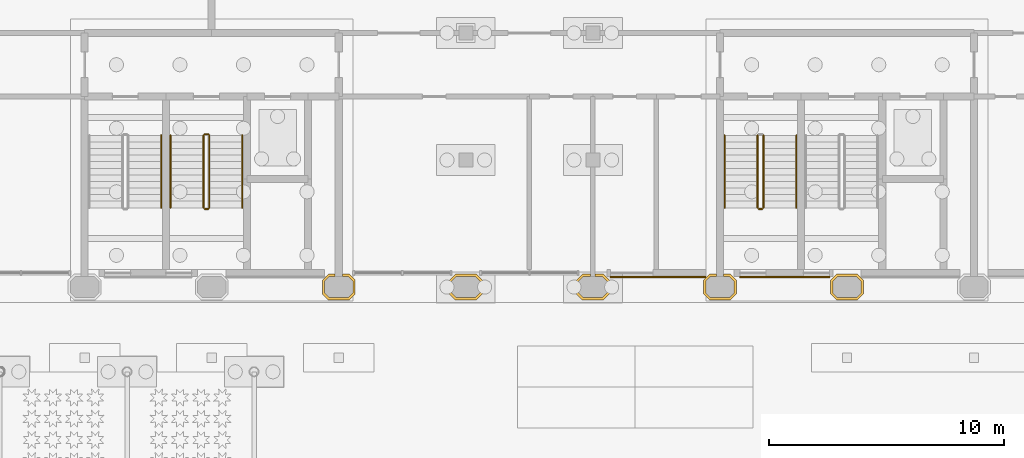
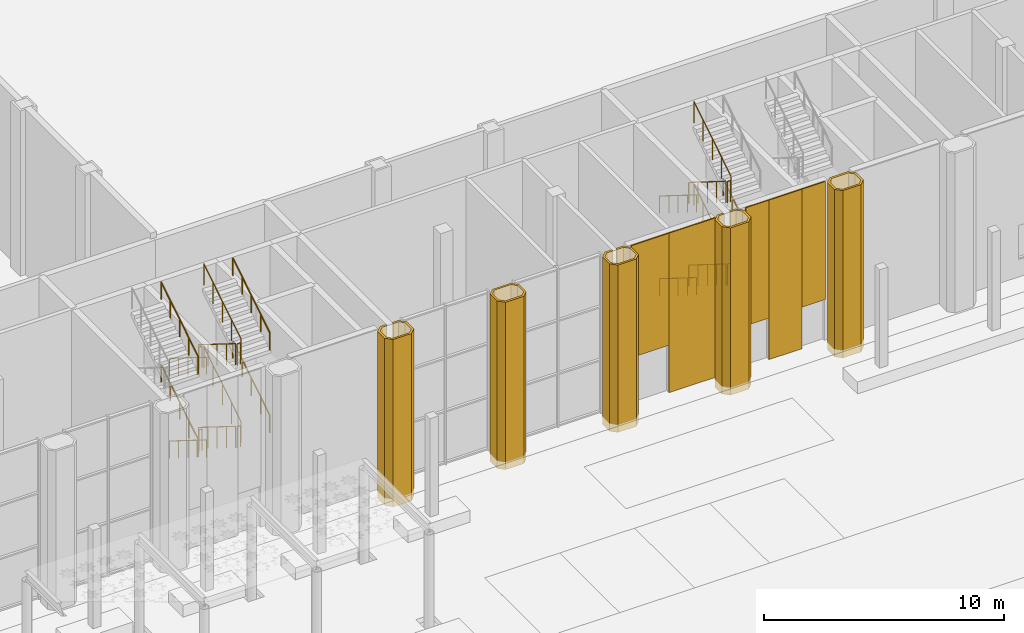
# One storey, part 47 of 54: 23 railings, 10 coverings.
"""IFC4 building model written with IfcOpenShell, lengths in metres."""

from ifc_helpers import new_model, si_unit, direction, frame, frame_2d, origin, origin_2d, place, context, subcontext, project, spatial, polyline, rectangle, circle, outline, extrude, material, layer, layer_set, type_object, element, save


model = new_model("IFC4")

# Units and contexts
model_context = context("Model", 3, precision=1e-05, world=origin(), true_north=direction((0.0, 1.0)))
body_context = subcontext(model_context, "Body", "Model", "MODEL_VIEW")
ifc_project = project(units=[si_unit("LENGTHUNIT", "METRE"), si_unit("AREAUNIT", "SQUARE_METRE"), si_unit("VOLUMEUNIT", "CUBIC_METRE"), si_unit("PLANEANGLEUNIT", "RADIAN"), si_unit("MASSUNIT", "GRAM", prefix="KILO")], contexts=[model_context])

# Site, building, storey
site_placement = place(None, origin())
site = spatial("IfcSite", under=ifc_project, at=site_placement, CompositionType="ELEMENT")
building_placement = place(site_placement, origin())
building = spatial("IfcBuilding", under=site, at=building_placement, Name="Tabaq Tower and Sports Hall", CompositionType="ELEMENT")
storey_placement = place(building_placement, origin())
storey = spatial("IfcBuildingStorey", under=building, at=storey_placement, Name="L00", CompositionType="ELEMENT", Elevation=0.0)

# Coverings
ifc_material_1 = material(Name="Precast concrete C60/75", Category="concrete")
ifc_layer_1 = layer(ifc_material_1, 0.10009765625)
ifc_layer_set_1 = layer_set([ifc_layer_1], Name="Column cladding 100")
covering_type_1 = type_object("IfcCoveringType", Name="Column cladding 100", PredefinedType="CLADDING", material=ifc_layer_set_1)
covering_1_placement = place(storey_placement, frame((0.0, 0.0, -0.39990234375)))
element("IfcCovering", 1, at=covering_1_placement, inside=storey, type_object=covering_type_1, Name="Column cladding L00 HC-17A", PredefinedType="CLADDING", context=body_context, shape_type="SweptSolid", body=[
    extrude(outline(polyline([(85.7001953125, 0.291259765625), (85.958740234375, 0.5498046875), (86.249755859375, 0.5498046875), (86.249755859375, 0.4501953125), (85.999755859375, 0.4501953125), (85.7998046875, 0.250244140625), (85.7998046875, -0.250244140625), (85.999755859375, -0.4501953125), (86.800048828125, -0.4501953125), (87.000244140625, -0.250244140625), (87.000244140625, 0.250244140625), (86.800048828125, 0.4501953125), (86.55029296875, 0.4501953125), (86.55029296875, 0.5498046875), (86.84130859375, 0.5498046875), (87.099609375, 0.291259765625), (87.099609375, -0.291259765625), (86.84130859375, -0.5498046875), (85.958740234375, -0.5498046875), (85.7001953125, -0.291259765625), (85.7001953125, 0.291259765625)])), origin(), (0.0, 0.0, 1.0), 8.5),
])
covering_2_placement = place(storey_placement, frame((0.0, 0.0, -0.39990234375)))
element("IfcCovering", 2, at=covering_2_placement, inside=storey, type_object=covering_type_1, Name="Column cladding L00 HC-18A", PredefinedType="CLADDING", context=body_context, shape_type="SweptSolid", body=[
    extrude(outline(polyline([(91.100341796875, -0.291259765625), (91.100341796875, 0.291259765625), (91.358642578125, 0.5498046875), (92.2412109375, 0.5498046875), (92.499755859375, 0.291259765625), (92.499755859375, -0.291259765625), (92.2412109375, -0.5498046875), (91.358642578125, -0.5498046875), (91.100341796875, -0.291259765625)]), holes=[polyline([(92.2001953125, -0.4501953125), (92.400390625, -0.250244140625), (92.400390625, 0.250244140625), (92.2001953125, 0.4501953125), (91.39990234375, 0.4501953125), (91.19970703125, 0.250244140625), (91.19970703125, -0.250244140625), (91.39990234375, -0.4501953125), (92.2001953125, -0.4501953125)])]), origin(), (0.0, 0.0, 1.0), 8.5),
])
covering_3_placement = place(storey_placement, frame((0.0, 0.0, -0.39990234375)))
element("IfcCovering", 3, at=covering_3_placement, inside=storey, type_object=covering_type_1, Name="Column cladding L00 HC-19A", PredefinedType="CLADDING", context=body_context, shape_type="SweptSolid", body=[
    extrude(outline(polyline([(96.500244140625, 0.291259765625), (96.7587890625, 0.5498046875), (97.099609375, 0.5498046875), (97.099609375, 0.4501953125), (96.7998046875, 0.4501953125), (96.599609375, 0.250244140625), (96.599609375, -0.250244140625), (96.7998046875, -0.4501953125), (97.60009765625, -0.4501953125), (97.80029296875, -0.250244140625), (97.80029296875, 0.250244140625), (97.60009765625, 0.4501953125), (97.30029296875, 0.4501953125), (97.30029296875, 0.5498046875), (97.641357421875, 0.5498046875), (97.899658203125, 0.291259765625), (97.899658203125, -0.291259765625), (97.641357421875, -0.5498046875), (96.7587890625, -0.5498046875), (96.500244140625, -0.291259765625), (96.500244140625, 0.291259765625)])), origin(), (0.0, 0.0, 1.0), 8.5),
])
covering_4_placement = place(storey_placement, frame((0.0, 0.0, -0.39990234375)))
element("IfcCovering", 4, at=covering_4_placement, inside=storey, type_object=covering_type_1, Name="Column cladding L00 HC-20A", PredefinedType="CLADDING", context=body_context, shape_type="SweptSolid", body=[
    extrude(outline(polyline([(101.900390625, 0.291259765625), (102.15869140625, 0.5498046875), (102.44970703125, 0.5498046875), (102.44970703125, 0.4501953125), (102.199951171875, 0.4501953125), (101.999755859375, 0.250244140625), (101.999755859375, -0.250244140625), (102.199951171875, -0.4501953125), (103.000244140625, -0.4501953125), (103.2001953125, -0.250244140625), (103.2001953125, 0.250244140625), (103.000244140625, 0.4501953125), (102.750244140625, 0.4501953125), (102.750244140625, 0.5498046875), (103.041259765625, 0.5498046875), (103.2998046875, 0.291259765625), (103.2998046875, -0.291259765625), (103.041259765625, -0.5498046875), (102.15869140625, -0.5498046875), (101.900390625, -0.291259765625), (101.900390625, 0.291259765625)])), origin(), (0.0, 0.0, 1.0), 8.5),
])
covering_5_placement = place(storey_placement, frame((0.0, 0.0, -0.39990234375)))
element("IfcCovering", 5, at=covering_5_placement, inside=storey, type_object=covering_type_1, Name="Column cladding L00 HC-21A", PredefinedType="CLADDING", context=body_context, shape_type="SweptSolid", body=[
    extrude(outline(polyline([(107.30029296875, -0.291259765625), (107.30029296875, 0.291259765625), (107.55859375, 0.5498046875), (108.44140625, 0.5498046875), (108.69970703125, 0.291259765625), (108.69970703125, -0.291259765625), (108.44140625, -0.5498046875), (107.55859375, -0.5498046875), (107.30029296875, -0.291259765625)]), holes=[polyline([(108.400146484375, -0.4501953125), (108.600341796875, -0.250244140625), (108.600341796875, 0.250244140625), (108.400146484375, 0.4501953125), (107.599853515625, 0.4501953125), (107.399658203125, 0.250244140625), (107.399658203125, -0.250244140625), (107.599853515625, -0.4501953125), (108.400146484375, -0.4501953125)])]), origin(), (0.0, 0.0, 1.0), 8.5),
])

# Railings
ifc_material_2 = material(Name="Stainless steel and glass balustrade", Category="steel")
railing_type_1 = type_object("IfcRailingType", Name="HALL GUARD 1100", PredefinedType="GUARDRAIL", material=ifc_material_2)
railing_1_placement = place(storey_placement, frame((80.64990234375, 6.449951171875, 0.175048828125)))
element("IfcRailing", 6, at=railing_1_placement, inside=storey, type_object=railing_type_1, Name="L00 ST-H2 stair guard 1", PredefinedType="GUARDRAIL", context=body_context, shape_type="SweptSolid", body=[
    extrude(circle(Radius=0.02392578125, at=origin_2d()), frame((0.0, 0.0, 1.076171875), z_axis=(0.0, -0.847979421464, 0.530029150871), x_axis=(1.0, 0.0, 0.0)), (0.0, 0.0, 1.0), 3.632080078125),
    extrude(circle(Radius=0.02099609375, at=origin_2d()), origin(), (0.0, 0.0, 1.0), 1.052001953125),
    extrude(circle(Radius=0.02099609375, at=origin_2d()), frame((0.0, -0.77001953125, 0.481201171875)), (0.0, 0.0, 1.0), 1.052001953125),
    extrude(circle(Radius=0.02099609375, at=origin_2d()), frame((0.0, -1.5400390625, 0.96240234375)), (0.0, 0.0, 1.0), 1.052001953125),
    extrude(circle(Radius=0.02099609375, at=origin_2d()), frame((0.0, -2.309814453125, 1.44384765625)), (0.0, 0.0, 1.0), 1.052001953125),
    extrude(circle(Radius=0.02099609375, at=origin_2d()), frame((0.0, -3.079833984375, 1.925048828125)), (0.0, 0.0, 1.0), 1.052001953125),
])
railing_2_placement = place(storey_placement, frame((80.699951171875, 3.320068359375, 2.10009765625)))
element("IfcRailing", 7, at=railing_2_placement, inside=storey, type_object=railing_type_1, Name="L00 ST-H2 stair guard 2", PredefinedType="GUARDRAIL", context=body_context, shape_type="SweptSolid", body=[
    extrude(circle(Radius=0.02392578125, at=origin_2d()), frame((0.0, 0.0, 1.076171875), z_axis=(1.0, 0.0, 0.0), x_axis=(0.0, 1.0, 0.0)), (0.0, 0.0, 1.0), 0.150146484375),
    extrude(circle(Radius=0.02099609375, at=origin_2d()), origin(), (0.0, 0.0, 1.0), 1.052001953125),
    extrude(circle(Radius=0.02099609375, at=origin_2d()), frame((0.150146484375, 0.0, 0.0)), (0.0, 0.0, 1.0), 1.052001953125),
])
railing_3_placement = place(storey_placement, frame((80.89990234375, 3.3701171875, 2.27490234375)))
element("IfcRailing", 8, at=railing_3_placement, inside=storey, type_object=railing_type_1, Name="L00 ST-H2 stair guard 3", PredefinedType="GUARDRAIL", context=body_context, shape_type="SweptSolid", body=[
    extrude(circle(Radius=0.02392578125, at=origin_2d()), frame((0.0, 0.0, 1.076171875), z_axis=(0.0, 0.847979421464, 0.530029150871), x_axis=(-1.0, 0.0, 0.0)), (0.0, 0.0, 1.0), 3.632080078125),
    extrude(circle(Radius=0.02099609375, at=origin_2d()), origin(), (0.0, 0.0, 1.0), 1.052001953125),
    extrude(circle(Radius=0.02099609375, at=origin_2d()), frame((0.0, 0.77001953125, 0.481201171875)), (0.0, 0.0, 1.0), 1.052001953125),
    extrude(circle(Radius=0.02099609375, at=origin_2d()), frame((0.0, 1.5400390625, 0.96240234375)), (0.0, 0.0, 1.0), 1.052001953125),
    extrude(circle(Radius=0.02099609375, at=origin_2d()), frame((0.0, 2.309814453125, 1.44384765625)), (0.0, 0.0, 1.0), 1.052001953125),
    extrude(circle(Radius=0.02099609375, at=origin_2d()), frame((0.0, 3.079833984375, 1.925048828125)), (0.0, 0.0, 1.0), 1.052001953125),
])
railing_4_placement = place(storey_placement, frame((80.699951171875, 6.5, 4.199951171875)))
element("IfcRailing", 9, at=railing_4_placement, inside=storey, type_object=railing_type_1, Name="L00 ST-H2 stair guard 4", PredefinedType="GUARDRAIL", context=body_context, shape_type="SweptSolid", body=[
    extrude(circle(Radius=0.02392578125, at=origin_2d()), frame((0.0, 0.0, 1.076171875), z_axis=(1.0, 0.0, 0.0), x_axis=(0.0, 1.0, 0.0)), (0.0, 0.0, 1.0), 0.150146484375),
    extrude(circle(Radius=0.02099609375, at=origin_2d()), origin(), (0.0, 0.0, 1.0), 1.052001953125),
    extrude(circle(Radius=0.02099609375, at=origin_2d()), frame((0.150146484375, 0.0, 0.0)), (0.0, 0.0, 1.0), 1.052001953125),
])
railing_5_placement = place(storey_placement, frame((80.64990234375, 6.449951171875, 4.375)))
element("IfcRailing", 10, at=railing_5_placement, inside=storey, type_object=railing_type_1, Name="L00 ST-H2 stair guard 5", PredefinedType="GUARDRAIL", context=body_context, shape_type="SweptSolid", body=[
    extrude(circle(Radius=0.02392578125, at=origin_2d()), frame((0.0, 0.0, 1.076171875), z_axis=(0.0, -0.847979421464, 0.530029150871), x_axis=(1.0, 0.0, 0.0)), (0.0, 0.0, 1.0), 3.632080078125),
    extrude(circle(Radius=0.02099609375, at=origin_2d()), origin(), (0.0, 0.0, 1.0), 1.052001953125),
    extrude(circle(Radius=0.02099609375, at=origin_2d()), frame((0.0, -0.77001953125, 0.481201171875)), (0.0, 0.0, 1.0), 1.052001953125),
    extrude(circle(Radius=0.02099609375, at=origin_2d()), frame((0.0, -1.5400390625, 0.96240234375)), (0.0, 0.0, 1.0), 1.052001953125),
    extrude(circle(Radius=0.02099609375, at=origin_2d()), frame((0.0, -2.309814453125, 1.44384765625)), (0.0, 0.0, 1.0), 1.052001953125),
    extrude(circle(Radius=0.02099609375, at=origin_2d()), frame((0.0, -3.079833984375, 1.925048828125)), (0.0, 0.0, 1.0), 1.052001953125),
])
railing_6_placement = place(storey_placement, frame((80.699951171875, 3.320068359375, 6.300048828125)))
element("IfcRailing", 11, at=railing_6_placement, inside=storey, type_object=railing_type_1, Name="L00 ST-H2 stair guard 6", PredefinedType="GUARDRAIL", context=body_context, shape_type="SweptSolid", body=[
    extrude(circle(Radius=0.02392578125, at=origin_2d()), frame((0.0, 0.0, 1.076171875), z_axis=(1.0, 0.0, 0.0), x_axis=(0.0, 1.0, 0.0)), (0.0, 0.0, 1.0), 0.150146484375),
    extrude(circle(Radius=0.02099609375, at=origin_2d()), origin(), (0.0, 0.0, 1.0), 1.052001953125),
    extrude(circle(Radius=0.02099609375, at=origin_2d()), frame((0.150146484375, 0.0, 0.0)), (0.0, 0.0, 1.0), 1.052001953125),
])
railing_7_placement = place(storey_placement, frame((80.89990234375, 3.3701171875, 6.47509765625)))
element("IfcRailing", 12, at=railing_7_placement, inside=storey, type_object=railing_type_1, Name="L00 ST-H2 stair guard 7", PredefinedType="GUARDRAIL", context=body_context, shape_type="SweptSolid", body=[
    extrude(circle(Radius=0.02392578125, at=origin_2d()), frame((0.0, 0.0, 1.076171875), z_axis=(0.0, 0.848009633417, 0.529980812513), x_axis=(-1.0, 0.0, 0.0)), (0.0, 0.0, 1.0), 3.6318359375),
    extrude(circle(Radius=0.02099609375, at=origin_2d()), origin(), (0.0, 0.0, 1.0), 1.052001953125),
    extrude(circle(Radius=0.02099609375, at=origin_2d()), frame((0.0, 0.77001953125, 0.481201171875)), (0.0, 0.0, 1.0), 1.052001953125),
    extrude(circle(Radius=0.02099609375, at=origin_2d()), frame((0.0, 1.5400390625, 0.96240234375)), (0.0, 0.0, 1.0), 1.052001953125),
    extrude(circle(Radius=0.02099609375, at=origin_2d()), frame((0.0, 2.309814453125, 1.443603515625)), (0.0, 0.0, 1.0), 1.052001953125),
    extrude(circle(Radius=0.02099609375, at=origin_2d()), frame((0.0, 3.079833984375, 1.9248046875)), (0.0, 0.0, 1.0), 1.052001953125),
])
railing_8_placement = place(storey_placement, frame((80.699951171875, 6.5, 0.0)))
element("IfcRailing", 13, at=railing_8_placement, inside=storey, type_object=railing_type_1, Name="L00 ST-H2 stair guard 8", PredefinedType="GUARDRAIL", context=body_context, shape_type="SweptSolid", body=[
    extrude(circle(Radius=0.02392578125, at=origin_2d()), frame((0.0, 0.0, 1.076171875), z_axis=(1.0, 0.0, 0.0), x_axis=(0.0, 1.0, 0.0)), (0.0, 0.0, 1.0), 0.150146484375),
    extrude(circle(Radius=0.02099609375, at=origin_2d()), origin(), (0.0, 0.0, 1.0), 1.052001953125),
    extrude(circle(Radius=0.02099609375, at=origin_2d()), frame((0.150146484375, 0.0, 0.0)), (0.0, 0.0, 1.0), 1.052001953125),
])
railing_9_placement = place(storey_placement, frame((104.199951171875, 6.449951171875, 0.175048828125)))
element("IfcRailing", 14, at=railing_9_placement, inside=storey, type_object=railing_type_1, Name="L00 ST-H3 stair guard 1", PredefinedType="GUARDRAIL", context=body_context, shape_type="SweptSolid", body=[
    extrude(circle(Radius=0.02392578125, at=origin_2d()), frame((0.0, 0.0, 1.076171875), z_axis=(0.0, -0.847979421464, 0.530029150871), x_axis=(1.0, 0.0, 0.0)), (0.0, 0.0, 1.0), 3.632080078125),
    extrude(circle(Radius=0.02099609375, at=origin_2d()), origin(), (0.0, 0.0, 1.0), 1.052001953125),
    extrude(circle(Radius=0.02099609375, at=origin_2d()), frame((0.0, -0.77001953125, 0.481201171875)), (0.0, 0.0, 1.0), 1.052001953125),
    extrude(circle(Radius=0.02099609375, at=origin_2d()), frame((0.0, -1.5400390625, 0.96240234375)), (0.0, 0.0, 1.0), 1.052001953125),
    extrude(circle(Radius=0.02099609375, at=origin_2d()), frame((0.0, -2.309814453125, 1.44384765625)), (0.0, 0.0, 1.0), 1.052001953125),
    extrude(circle(Radius=0.02099609375, at=origin_2d()), frame((0.0, -3.079833984375, 1.925048828125)), (0.0, 0.0, 1.0), 1.052001953125),
])
railing_10_placement = place(storey_placement, frame((104.25, 3.320068359375, 2.10009765625)))
element("IfcRailing", 15, at=railing_10_placement, inside=storey, type_object=railing_type_1, Name="L00 ST-H3 stair guard 2", PredefinedType="GUARDRAIL", context=body_context, shape_type="SweptSolid", body=[
    extrude(circle(Radius=0.02392578125, at=origin_2d()), frame((0.0, 0.0, 1.076171875), z_axis=(1.0, 0.0, 0.0), x_axis=(0.0, 1.0, 0.0)), (0.0, 0.0, 1.0), 0.14990234375),
    extrude(circle(Radius=0.02099609375, at=origin_2d()), origin(), (0.0, 0.0, 1.0), 1.052001953125),
    extrude(circle(Radius=0.02099609375, at=origin_2d()), frame((0.14990234375, 0.0, 0.0)), (0.0, 0.0, 1.0), 1.052001953125),
])
railing_11_placement = place(storey_placement, frame((104.449951171875, 3.3701171875, 2.27490234375)))
element("IfcRailing", 16, at=railing_11_placement, inside=storey, type_object=railing_type_1, Name="L00 ST-H3 stair guard 3", PredefinedType="GUARDRAIL", context=body_context, shape_type="SweptSolid", body=[
    extrude(circle(Radius=0.02392578125, at=origin_2d()), frame((0.0, 0.0, 1.076171875), z_axis=(0.0, 0.847979421464, 0.530029150871), x_axis=(-1.0, 0.0, 0.0)), (0.0, 0.0, 1.0), 3.632080078125),
    extrude(circle(Radius=0.02099609375, at=origin_2d()), origin(), (0.0, 0.0, 1.0), 1.052001953125),
    extrude(circle(Radius=0.02099609375, at=origin_2d()), frame((0.0, 0.77001953125, 0.481201171875)), (0.0, 0.0, 1.0), 1.052001953125),
    extrude(circle(Radius=0.02099609375, at=origin_2d()), frame((0.0, 1.5400390625, 0.96240234375)), (0.0, 0.0, 1.0), 1.052001953125),
    extrude(circle(Radius=0.02099609375, at=origin_2d()), frame((0.0, 2.309814453125, 1.44384765625)), (0.0, 0.0, 1.0), 1.052001953125),
    extrude(circle(Radius=0.02099609375, at=origin_2d()), frame((0.0, 3.079833984375, 1.925048828125)), (0.0, 0.0, 1.0), 1.052001953125),
])
railing_12_placement = place(storey_placement, frame((104.199951171875, 6.449951171875, 4.375)))
element("IfcRailing", 17, at=railing_12_placement, inside=storey, type_object=railing_type_1, Name="L00 ST-H3 stair guard 5", PredefinedType="GUARDRAIL", context=body_context, shape_type="SweptSolid", body=[
    extrude(circle(Radius=0.02392578125, at=origin_2d()), frame((0.0, 0.0, 1.076171875), z_axis=(0.0, -0.847979421464, 0.530029150871), x_axis=(1.0, 0.0, 0.0)), (0.0, 0.0, 1.0), 3.632080078125),
    extrude(circle(Radius=0.02099609375, at=origin_2d()), origin(), (0.0, 0.0, 1.0), 1.052001953125),
    extrude(circle(Radius=0.02099609375, at=origin_2d()), frame((0.0, -0.77001953125, 0.481201171875)), (0.0, 0.0, 1.0), 1.052001953125),
    extrude(circle(Radius=0.02099609375, at=origin_2d()), frame((0.0, -1.5400390625, 0.96240234375)), (0.0, 0.0, 1.0), 1.052001953125),
    extrude(circle(Radius=0.02099609375, at=origin_2d()), frame((0.0, -2.309814453125, 1.44384765625)), (0.0, 0.0, 1.0), 1.052001953125),
    extrude(circle(Radius=0.02099609375, at=origin_2d()), frame((0.0, -3.079833984375, 1.925048828125)), (0.0, 0.0, 1.0), 1.052001953125),
])
railing_13_placement = place(storey_placement, frame((104.25, 3.320068359375, 6.300048828125)))
element("IfcRailing", 18, at=railing_13_placement, inside=storey, type_object=railing_type_1, Name="L00 ST-H3 stair guard 6", PredefinedType="GUARDRAIL", context=body_context, shape_type="SweptSolid", body=[
    extrude(circle(Radius=0.02392578125, at=origin_2d()), frame((0.0, 0.0, 1.076171875), z_axis=(1.0, 0.0, 0.0), x_axis=(0.0, 1.0, 0.0)), (0.0, 0.0, 1.0), 0.14990234375),
    extrude(circle(Radius=0.02099609375, at=origin_2d()), origin(), (0.0, 0.0, 1.0), 1.052001953125),
    extrude(circle(Radius=0.02099609375, at=origin_2d()), frame((0.14990234375, 0.0, 0.0)), (0.0, 0.0, 1.0), 1.052001953125),
])
railing_14_placement = place(storey_placement, frame((104.449951171875, 3.3701171875, 6.47509765625)))
element("IfcRailing", 19, at=railing_14_placement, inside=storey, type_object=railing_type_1, Name="L00 ST-H3 stair guard 7", PredefinedType="GUARDRAIL", context=body_context, shape_type="SweptSolid", body=[
    extrude(circle(Radius=0.02392578125, at=origin_2d()), frame((0.0, 0.0, 1.076171875), z_axis=(0.0, 0.848009633417, 0.529980812513), x_axis=(-1.0, 0.0, 0.0)), (0.0, 0.0, 1.0), 3.6318359375),
    extrude(circle(Radius=0.02099609375, at=origin_2d()), origin(), (0.0, 0.0, 1.0), 1.052001953125),
    extrude(circle(Radius=0.02099609375, at=origin_2d()), frame((0.0, 0.77001953125, 0.481201171875)), (0.0, 0.0, 1.0), 1.052001953125),
    extrude(circle(Radius=0.02099609375, at=origin_2d()), frame((0.0, 1.5400390625, 0.96240234375)), (0.0, 0.0, 1.0), 1.052001953125),
    extrude(circle(Radius=0.02099609375, at=origin_2d()), frame((0.0, 2.309814453125, 1.443603515625)), (0.0, 0.0, 1.0), 1.052001953125),
    extrude(circle(Radius=0.02099609375, at=origin_2d()), frame((0.0, 3.079833984375, 1.9248046875)), (0.0, 0.0, 1.0), 1.052001953125),
])
ifc_material_3 = material(Name="Stainless steel handrail", Category="steel")
railing_type_2 = type_object("IfcRailingType", Name="HALL HANDRAIL 900", PredefinedType="HANDRAIL", material=ifc_material_3)
railing_15_placement = place(storey_placement, frame((78.85009765625, 3.3701171875, 2.27490234375)))
element("IfcRailing", 20, at=railing_15_placement, inside=storey, type_object=railing_type_2, Name="L00 ST-H1 stair handrail 2", PredefinedType="HANDRAIL", context=body_context, shape_type="SweptSolid", body=[
    extrude(circle(Radius=0.02392578125, at=origin_2d()), frame((0.0, 0.0, 0.8759765625), z_axis=(0.0, 0.847979421464, 0.530029150871), x_axis=(-1.0, 0.0, 0.0)), (0.0, 0.0, 1.0), 3.632080078125),
    extrude(circle(Radius=0.02099609375, at=origin_2d()), origin(), (0.0, 0.0, 1.0), 0.851806640625),
    extrude(circle(Radius=0.02099609375, at=origin_2d()), frame((0.0, 0.77001953125, 0.481201171875)), (0.0, 0.0, 1.0), 0.851806640625),
    extrude(circle(Radius=0.02099609375, at=origin_2d()), frame((0.0, 1.5400390625, 0.96240234375)), (0.0, 0.0, 1.0), 0.851806640625),
    extrude(circle(Radius=0.02099609375, at=origin_2d()), frame((0.0, 2.309814453125, 1.44384765625)), (0.0, 0.0, 1.0), 0.851806640625),
    extrude(circle(Radius=0.02099609375, at=origin_2d()), frame((0.0, 3.079833984375, 1.925048828125)), (0.0, 0.0, 1.0), 0.851806640625),
])
railing_16_placement = place(storey_placement, frame((78.85009765625, 3.3701171875, 6.47509765625)))
element("IfcRailing", 21, at=railing_16_placement, inside=storey, type_object=railing_type_2, Name="L00 ST-H1 stair handrail 4", PredefinedType="HANDRAIL", context=body_context, shape_type="SweptSolid", body=[
    extrude(circle(Radius=0.02392578125, at=origin_2d()), frame((0.0, 0.0, 0.8759765625), z_axis=(0.0, 0.848009633417, 0.529980812513), x_axis=(-1.0, 0.0, 0.0)), (0.0, 0.0, 1.0), 3.6318359375),
    extrude(circle(Radius=0.02099609375, at=origin_2d()), origin(), (0.0, 0.0, 1.0), 0.851806640625),
    extrude(circle(Radius=0.02099609375, at=origin_2d()), frame((0.0, 0.77001953125, 0.481201171875)), (0.0, 0.0, 1.0), 0.851806640625),
    extrude(circle(Radius=0.02099609375, at=origin_2d()), frame((0.0, 1.5400390625, 0.96240234375)), (0.0, 0.0, 1.0), 0.851806640625),
    extrude(circle(Radius=0.02099609375, at=origin_2d()), frame((0.0, 2.309814453125, 1.443603515625)), (0.0, 0.0, 1.0), 0.851806640625),
    extrude(circle(Radius=0.02099609375, at=origin_2d()), frame((0.0, 3.079833984375, 1.9248046875)), (0.0, 0.0, 1.0), 0.851806640625),
])
railing_17_placement = place(storey_placement, frame((79.25, 6.449951171875, 0.175048828125)))
element("IfcRailing", 22, at=railing_17_placement, inside=storey, type_object=railing_type_2, Name="L00 ST-H2 stair handrail 1", PredefinedType="HANDRAIL", context=body_context, shape_type="SweptSolid", body=[
    extrude(circle(Radius=0.02392578125, at=origin_2d()), frame((0.0, 0.0, 0.8759765625), z_axis=(0.0, -0.847979421464, 0.530029150871), x_axis=(1.0, 0.0, 0.0)), (0.0, 0.0, 1.0), 3.632080078125),
    extrude(circle(Radius=0.02099609375, at=origin_2d()), origin(), (0.0, 0.0, 1.0), 0.851806640625),
    extrude(circle(Radius=0.02099609375, at=origin_2d()), frame((0.0, -0.77001953125, 0.481201171875)), (0.0, 0.0, 1.0), 0.851806640625),
    extrude(circle(Radius=0.02099609375, at=origin_2d()), frame((0.0, -1.5400390625, 0.96240234375)), (0.0, 0.0, 1.0), 0.851806640625),
    extrude(circle(Radius=0.02099609375, at=origin_2d()), frame((0.0, -2.309814453125, 1.44384765625)), (0.0, 0.0, 1.0), 0.851806640625),
    extrude(circle(Radius=0.02099609375, at=origin_2d()), frame((0.0, -3.079833984375, 1.925048828125)), (0.0, 0.0, 1.0), 0.851806640625),
])
railing_18_placement = place(storey_placement, frame((82.300048828125, 3.3701171875, 2.27490234375)))
element("IfcRailing", 23, at=railing_18_placement, inside=storey, type_object=railing_type_2, Name="L00 ST-H2 stair handrail 2", PredefinedType="HANDRAIL", context=body_context, shape_type="SweptSolid", body=[
    extrude(circle(Radius=0.02392578125, at=origin_2d()), frame((0.0, 0.0, 0.8759765625), z_axis=(0.0, 0.847979421464, 0.530029150871), x_axis=(-1.0, 0.0, 0.0)), (0.0, 0.0, 1.0), 3.632080078125),
    extrude(circle(Radius=0.02099609375, at=origin_2d()), origin(), (0.0, 0.0, 1.0), 0.851806640625),
    extrude(circle(Radius=0.02099609375, at=origin_2d()), frame((0.0, 0.77001953125, 0.481201171875)), (0.0, 0.0, 1.0), 0.851806640625),
    extrude(circle(Radius=0.02099609375, at=origin_2d()), frame((0.0, 1.5400390625, 0.96240234375)), (0.0, 0.0, 1.0), 0.851806640625),
    extrude(circle(Radius=0.02099609375, at=origin_2d()), frame((0.0, 2.309814453125, 1.44384765625)), (0.0, 0.0, 1.0), 0.851806640625),
    extrude(circle(Radius=0.02099609375, at=origin_2d()), frame((0.0, 3.079833984375, 1.925048828125)), (0.0, 0.0, 1.0), 0.851806640625),
])
railing_19_placement = place(storey_placement, frame((79.25, 6.449951171875, 4.375)))
element("IfcRailing", 24, at=railing_19_placement, inside=storey, type_object=railing_type_2, Name="L00 ST-H2 stair handrail 3", PredefinedType="HANDRAIL", context=body_context, shape_type="SweptSolid", body=[
    extrude(circle(Radius=0.02392578125, at=origin_2d()), frame((0.0, 0.0, 0.8759765625), z_axis=(0.0, -0.847979421464, 0.530029150871), x_axis=(1.0, 0.0, 0.0)), (0.0, 0.0, 1.0), 3.632080078125),
    extrude(circle(Radius=0.02099609375, at=origin_2d()), origin(), (0.0, 0.0, 1.0), 0.851806640625),
    extrude(circle(Radius=0.02099609375, at=origin_2d()), frame((0.0, -0.77001953125, 0.481201171875)), (0.0, 0.0, 1.0), 0.851806640625),
    extrude(circle(Radius=0.02099609375, at=origin_2d()), frame((0.0, -1.5400390625, 0.96240234375)), (0.0, 0.0, 1.0), 0.851806640625),
    extrude(circle(Radius=0.02099609375, at=origin_2d()), frame((0.0, -2.309814453125, 1.44384765625)), (0.0, 0.0, 1.0), 0.851806640625),
    extrude(circle(Radius=0.02099609375, at=origin_2d()), frame((0.0, -3.079833984375, 1.925048828125)), (0.0, 0.0, 1.0), 0.851806640625),
])
railing_20_placement = place(storey_placement, frame((82.300048828125, 3.3701171875, 6.47509765625)))
element("IfcRailing", 25, at=railing_20_placement, inside=storey, type_object=railing_type_2, Name="L00 ST-H2 stair handrail 4", PredefinedType="HANDRAIL", context=body_context, shape_type="SweptSolid", body=[
    extrude(circle(Radius=0.02392578125, at=origin_2d()), frame((0.0, 0.0, 0.8759765625), z_axis=(0.0, 0.848009633417, 0.529980812513), x_axis=(-1.0, 0.0, 0.0)), (0.0, 0.0, 1.0), 3.6318359375),
    extrude(circle(Radius=0.02099609375, at=origin_2d()), origin(), (0.0, 0.0, 1.0), 0.851806640625),
    extrude(circle(Radius=0.02099609375, at=origin_2d()), frame((0.0, 0.77001953125, 0.481201171875)), (0.0, 0.0, 1.0), 0.851806640625),
    extrude(circle(Radius=0.02099609375, at=origin_2d()), frame((0.0, 1.5400390625, 0.96240234375)), (0.0, 0.0, 1.0), 0.851806640625),
    extrude(circle(Radius=0.02099609375, at=origin_2d()), frame((0.0, 2.309814453125, 1.443603515625)), (0.0, 0.0, 1.0), 0.851806640625),
    extrude(circle(Radius=0.02099609375, at=origin_2d()), frame((0.0, 3.079833984375, 1.9248046875)), (0.0, 0.0, 1.0), 0.851806640625),
])
railing_21_placement = place(storey_placement, frame((102.800048828125, 6.449951171875, 0.175048828125)))
element("IfcRailing", 26, at=railing_21_placement, inside=storey, type_object=railing_type_2, Name="L00 ST-H3 stair handrail 1", PredefinedType="HANDRAIL", context=body_context, shape_type="SweptSolid", body=[
    extrude(circle(Radius=0.02392578125, at=origin_2d()), frame((0.0, 0.0, 0.8759765625), z_axis=(0.0, -0.847979421464, 0.530029150871), x_axis=(1.0, 0.0, 0.0)), (0.0, 0.0, 1.0), 3.632080078125),
    extrude(circle(Radius=0.02099609375, at=origin_2d()), origin(), (0.0, 0.0, 1.0), 0.851806640625),
    extrude(circle(Radius=0.02099609375, at=origin_2d()), frame((0.0, -0.77001953125, 0.481201171875)), (0.0, 0.0, 1.0), 0.851806640625),
    extrude(circle(Radius=0.02099609375, at=origin_2d()), frame((0.0, -1.5400390625, 0.96240234375)), (0.0, 0.0, 1.0), 0.851806640625),
    extrude(circle(Radius=0.02099609375, at=origin_2d()), frame((0.0, -2.309814453125, 1.44384765625)), (0.0, 0.0, 1.0), 0.851806640625),
    extrude(circle(Radius=0.02099609375, at=origin_2d()), frame((0.0, -3.079833984375, 1.925048828125)), (0.0, 0.0, 1.0), 0.851806640625),
])
railing_22_placement = place(storey_placement, frame((105.85009765625, 3.3701171875, 2.27490234375)))
element("IfcRailing", 27, at=railing_22_placement, inside=storey, type_object=railing_type_2, Name="L00 ST-H3 stair handrail 2", PredefinedType="HANDRAIL", context=body_context, shape_type="SweptSolid", body=[
    extrude(circle(Radius=0.02392578125, at=origin_2d()), frame((0.0, 0.0, 0.8759765625), z_axis=(0.0, 0.847979421464, 0.530029150871), x_axis=(-1.0, 0.0, 0.0)), (0.0, 0.0, 1.0), 3.632080078125),
    extrude(circle(Radius=0.02099609375, at=origin_2d()), origin(), (0.0, 0.0, 1.0), 0.851806640625),
    extrude(circle(Radius=0.02099609375, at=origin_2d()), frame((0.0, 0.77001953125, 0.481201171875)), (0.0, 0.0, 1.0), 0.851806640625),
    extrude(circle(Radius=0.02099609375, at=origin_2d()), frame((0.0, 1.5400390625, 0.96240234375)), (0.0, 0.0, 1.0), 0.851806640625),
    extrude(circle(Radius=0.02099609375, at=origin_2d()), frame((0.0, 2.309814453125, 1.44384765625)), (0.0, 0.0, 1.0), 0.851806640625),
    extrude(circle(Radius=0.02099609375, at=origin_2d()), frame((0.0, 3.079833984375, 1.925048828125)), (0.0, 0.0, 1.0), 0.851806640625),
])
railing_23_placement = place(storey_placement, frame((102.800048828125, 6.449951171875, 4.375)))
element("IfcRailing", 28, at=railing_23_placement, inside=storey, type_object=railing_type_2, Name="L00 ST-H3 stair handrail 3", PredefinedType="HANDRAIL", context=body_context, shape_type="SweptSolid", body=[
    extrude(circle(Radius=0.02392578125, at=origin_2d()), frame((0.0, 0.0, 0.8759765625), z_axis=(0.0, -0.847979421464, 0.530029150871), x_axis=(1.0, 0.0, 0.0)), (0.0, 0.0, 1.0), 3.632080078125),
    extrude(circle(Radius=0.02099609375, at=origin_2d()), origin(), (0.0, 0.0, 1.0), 0.851806640625),
    extrude(circle(Radius=0.02099609375, at=origin_2d()), frame((0.0, -0.77001953125, 0.481201171875)), (0.0, 0.0, 1.0), 0.851806640625),
    extrude(circle(Radius=0.02099609375, at=origin_2d()), frame((0.0, -1.5400390625, 0.96240234375)), (0.0, 0.0, 1.0), 0.851806640625),
    extrude(circle(Radius=0.02099609375, at=origin_2d()), frame((0.0, -2.309814453125, 1.44384765625)), (0.0, 0.0, 1.0), 0.851806640625),
    extrude(circle(Radius=0.02099609375, at=origin_2d()), frame((0.0, -3.079833984375, 1.925048828125)), (0.0, 0.0, 1.0), 0.851806640625),
])

# Coverings
ifc_material_4 = material(Name="Precast concrete C60/75", Category="concrete")
ifc_layer_2 = layer(ifc_material_4, 0.06005859375)
ifc_layer_set_2 = layer_set([ifc_layer_2], Name="White precast cladding panel 60 C60/75")
covering_type_2 = type_object("IfcCoveringType", Name="White precast cladding panel 60 C60/75", PredefinedType="CLADDING", material=ifc_layer_set_2)
covering_6_placement = place(storey_placement, frame((97.93994140625, 0.419921875, 2.409912109375), z_axis=(0.0, 0.0, 1.0), x_axis=(1.0, 0.0, 0.0)))
element("IfcCovering", 29, at=covering_6_placement, inside=storey, type_object=covering_type_2, Name="White precast cladding panel L00 L00", PredefinedType="CLADDING", context=body_context, shape_type="SweptSolid", body=[
    extrude(rectangle(XDim=1.820068359375, YDim=0.06005859375, at=frame_2d((0.91015625, 0.0))), origin(), (0.0, 0.0, 1.0), 5.690185546875),
])
covering_7_placement = place(storey_placement, frame((99.760009765625, 0.419921875, 0.0), z_axis=(0.0, 0.0, 1.0), x_axis=(1.0, 0.0, 0.0)))
element("IfcCovering", 30, at=covering_7_placement, inside=storey, type_object=covering_type_2, Name="White precast cladding panel L00 L00 2", PredefinedType="CLADDING", context=body_context, shape_type="SweptSolid", body=[
    extrude(rectangle(XDim=2.239990234375, YDim=0.06005859375, at=frame_2d((1.1201171875, 0.0))), origin(), (0.0, 0.0, 1.0), 8.10009765625),
])
covering_8_placement = place(storey_placement, frame((103.43994140625, 0.419921875, 2.110107421875), z_axis=(0.0, 0.0, 1.0), x_axis=(1.0, 0.0, 0.0)))
element("IfcCovering", 31, at=covering_8_placement, inside=storey, type_object=covering_type_2, Name="White precast cladding panel L00 L00", PredefinedType="CLADDING", context=body_context, shape_type="SweptSolid", body=[
    extrude(rectangle(XDim=1.1201171875, YDim=0.06005859375, at=frame_2d((0.56005859375, 0.0))), origin(), (0.0, 0.0, 1.0), 5.989990234375),
])
covering_9_placement = place(storey_placement, frame((104.56005859375, 0.419921875, 0.0), z_axis=(0.0, 0.0, 1.0), x_axis=(1.0, 0.0, 0.0)))
element("IfcCovering", 32, at=covering_9_placement, inside=storey, type_object=covering_type_2, Name="White precast cladding panel L00 L00 2", PredefinedType="CLADDING", context=body_context, shape_type="SweptSolid", body=[
    extrude(rectangle(XDim=1.579833984375, YDim=0.06005859375, at=frame_2d((0.7900390625, 0.0))), origin(), (0.0, 0.0, 1.0), 8.10009765625),
])
covering_10_placement = place(storey_placement, frame((106.139892578125, 0.419921875, 2.110107421875), z_axis=(0.0, 0.0, 1.0), x_axis=(1.0, 0.0, 0.0)))
element("IfcCovering", 33, at=covering_10_placement, inside=storey, type_object=covering_type_2, Name="White precast cladding panel L00 L00 3", PredefinedType="CLADDING", context=body_context, shape_type="SweptSolid", body=[
    extrude(rectangle(XDim=1.1201171875, YDim=0.06005859375, at=frame_2d((0.56005859375, 0.0))), origin(), (0.0, 0.0, 1.0), 5.989990234375),
])

save(model, "model.ifc")
